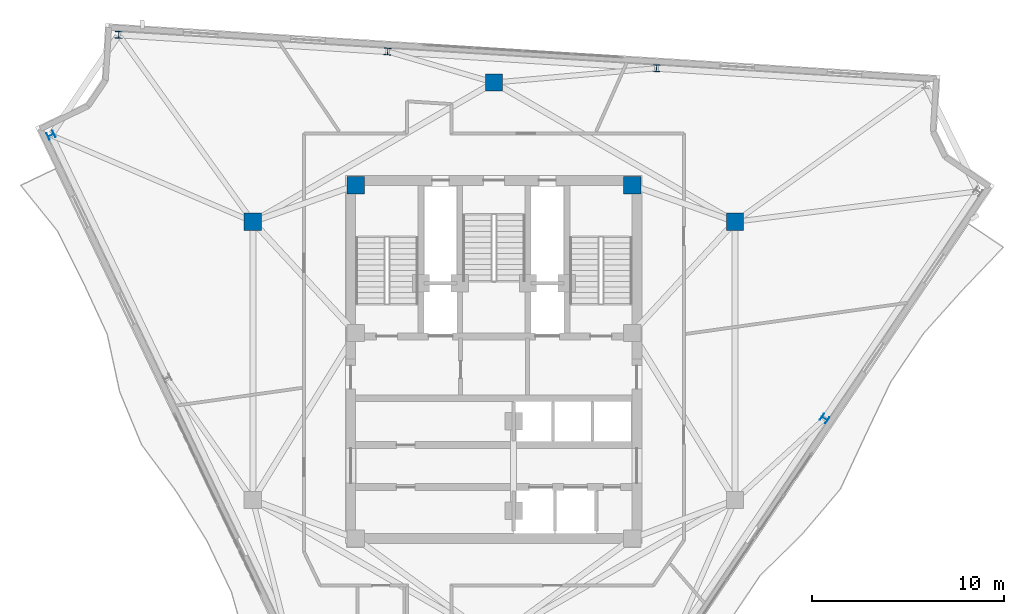
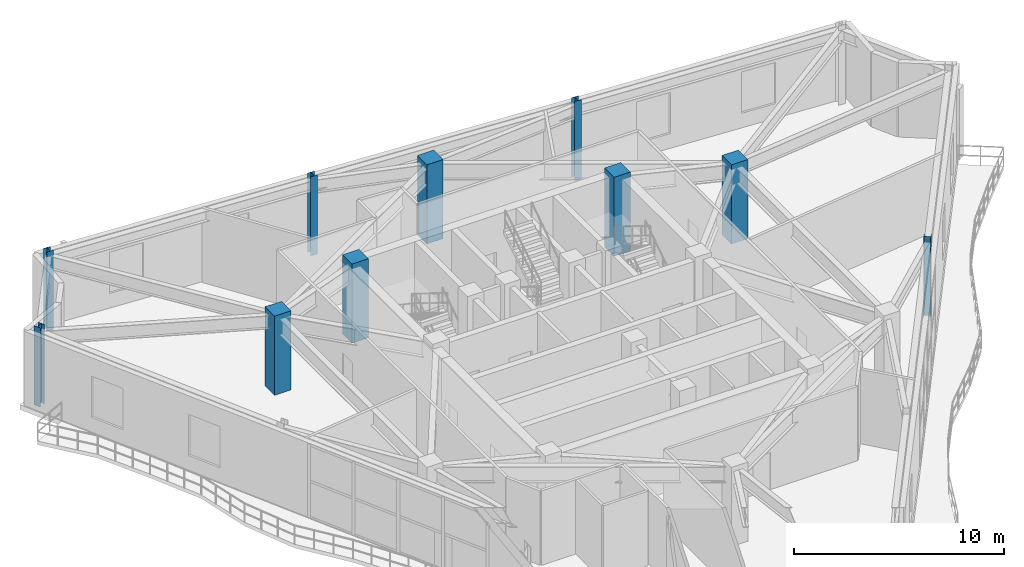
# One storey, part 2 of 15: 10 columns.
"""IFC4 building model written with IfcOpenShell, lengths in metres."""

from ifc_helpers import new_model, si_unit, direction, frame, origin, origin_2d, place, context, subcontext, project, spatial, rectangle, i_section, extrude, material, material_profile, profile_set, type_object, element, save


model = new_model("IFC4")

# Units and contexts
model_context = context("Model", 3, precision=1e-05, world=origin(), true_north=direction((0.0, 1.0)))
body_context = subcontext(model_context, "Body", "Model", "MODEL_VIEW")
ifc_project = project(units=[si_unit("LENGTHUNIT", "METRE"), si_unit("AREAUNIT", "SQUARE_METRE"), si_unit("VOLUMEUNIT", "CUBIC_METRE"), si_unit("PLANEANGLEUNIT", "RADIAN"), si_unit("MASSUNIT", "GRAM", prefix="KILO")], contexts=[model_context])

# Site, building, storey
site_placement = place(None, origin())
site = spatial("IfcSite", under=ifc_project, at=site_placement, CompositionType="ELEMENT")
building_placement = place(site_placement, origin())
building = spatial("IfcBuilding", under=site, at=building_placement, Name="Apsidion Concourse Tower", CompositionType="ELEMENT")
storey_placement = place(building_placement, frame((0.0, 0.0, 318.800048828125)))
storey = spatial("IfcBuildingStorey", under=building, at=storey_placement, Name="L75", CompositionType="ELEMENT", Elevation=318.800048828125)

# Columns
ifc_material_1 = material(Name="Concrete C50/60", Category="concrete")
ifc_material_profile_1 = material_profile(ifc_material_1, rectangle(XDim=0.89990234375, YDim=0.89990234375, at=origin_2d()), Name="RC 900x900")
ifc_profile_set_1 = profile_set([ifc_material_profile_1], Name="Concrete C50/60")
column_type_1 = type_object("IfcColumnType", Name="COL-RC-900", PredefinedType="COLUMN", material=ifc_profile_set_1)
for number, where, z_axis, x_axis, name in (
    (1, (7.199951171875, 9.14990234375, 0.0), (0.0, 0.0, 1.0), (1.0, 0.0, 0.0), "L75 Core Super-Column SC4"),
    (2, (-7.199951171875, 9.14990234375, 0.0), (0.0, 0.0, 1.0), (1.0, 0.0, 0.0), "L75 Core Super-Column SC5"),
    (3, (12.56005859375, 7.25, 0.0), (0.0, 0.0, 1.0), (1.0, 0.0, 0.0), "L75 Interior Spine Column IC3"),
    (4, (0.0, 14.5, 0.0), (0.0, 0.0, 1.0), (1.0, 0.0, 0.0), "L75 Interior Spine Column IC4"),
    (5, (-12.56005859375, 7.25, 0.0), (0.0, 0.0, 1.0), (1.0, 0.0, 0.0), "L75 Interior Spine Column IC5"),
):
    element("IfcColumn", number, at=place(storey_placement, frame(where, z_axis=z_axis, x_axis=x_axis)), inside=storey, type_object=column_type_1, Name=name, PredefinedType="COLUMN", context=body_context, shape_type="SweptSolid", body=[
        extrude(rectangle(XDim=0.89990234375, YDim=0.89990234375, at=origin_2d()), origin(), (0.0, 0.0, 1.0), 4.599853515625),
    ])
ifc_material_2 = material(Name="Structural steel ASTM A992 Grade 50", Category="steel")
ifc_material_profile_2 = material_profile(ifc_material_2, i_section(OverallWidth=0.367919921875, OverallDepth=0.35595703125, WebThickness=0.01123046875, FlangeThickness=0.01806640625, at=origin_2d()), Name="W14X90")
ifc_profile_set_2 = profile_set([ifc_material_profile_2], Name="Structural steel ASTM A992 Grade 50")
column_type_2 = type_object("IfcColumnType", Name="COL-W14-90", PredefinedType="COLUMN", material=ifc_profile_set_2)
for number, where, z_axis, x_axis, name in (
    (6, (-23.0732421875, 11.758544921875, 0.0), (0.0, 0.0, 1.0), (-0.431298587031, 0.902209248913, 0.0), "L75 Rotated Perimeter Column PC01"),
    (7, (17.223876953125, -3.005615234375, 0.0), (0.0, 0.0, 1.0), (0.559192903471, 0.829037572555, 0.0), "L75 Rotated Perimeter Column PC07"),
    (8, (8.469482421875, 15.24853515625, 0.0), (0.0, 0.0, 1.0), (-0.998081143466, 0.061919553109, 0.0), "L75 Rotated Perimeter Column PC10"),
    (9, (-5.5380859375, 16.118408203125, 0.0), (0.0, 0.0, 1.0), (-0.998081143466, 0.061919553109, 0.0), "L75 Rotated Perimeter Column PC11"),
    (10, (-19.5458984375, 16.98828125, 0.0), (0.0, 0.0, 1.0), (-0.998081143466, 0.061919553109, 0.0), "L75 Rotated Perimeter Column PC12"),
):
    element("IfcColumn", number, at=place(storey_placement, frame(where, z_axis=z_axis, x_axis=x_axis)), inside=storey, type_object=column_type_2, Name=name, PredefinedType="COLUMN", context=body_context, shape_type="SweptSolid", body=[
        extrude(i_section(OverallWidth=0.367919921875, OverallDepth=0.35595703125, WebThickness=0.01123046875, FlangeThickness=0.01806640625, at=origin_2d()), origin(), (0.0, 0.0, 1.0), 4.599853515625),
    ])

save(model, "model.ifc")
